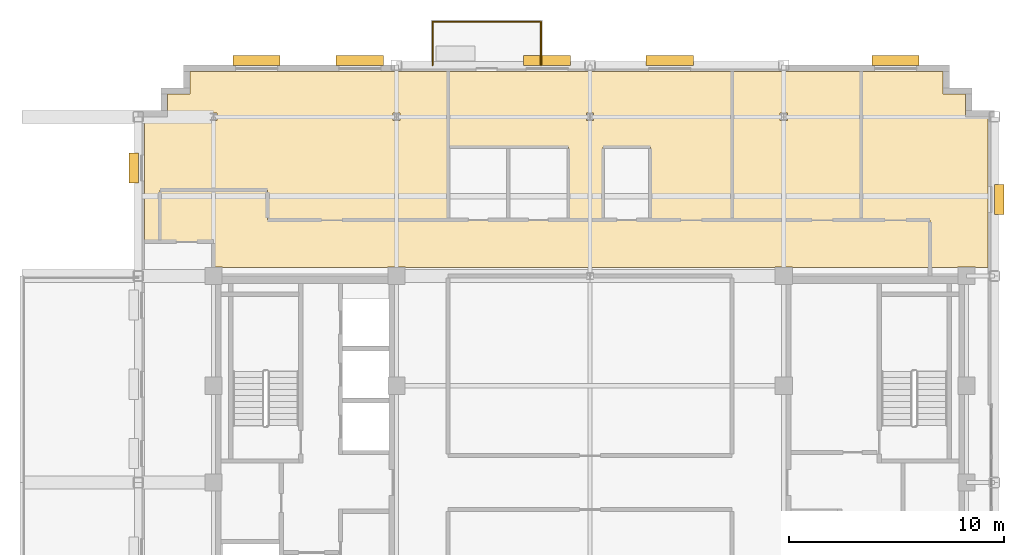
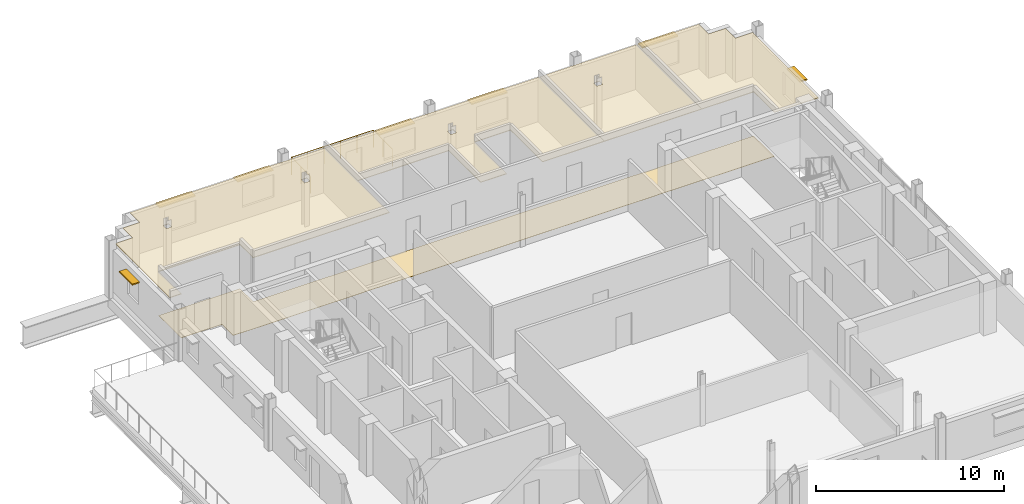
# One storey, part 14 of 14: 7 shading devices, 5 coverings, 1 railing.
"""IFC4 building model written with IfcOpenShell, lengths in metres."""

from ifc_helpers import new_model, si_unit, direction, frame, origin, origin_2d, place, context, subcontext, project, spatial, polyline, rectangle, circle, outline, extrude, source, transform, mapped, material, layer, layer_set, type_object, type_shapes, element, save


model = new_model("IFC4")

# Units and contexts
model_context = context("Model", 3, precision=1e-05, world=origin(), true_north=direction((0.0, 1.0)))
body_context = subcontext(model_context, "Body", "Model", "MODEL_VIEW")
ifc_project = project(units=[si_unit("LENGTHUNIT", "METRE"), si_unit("AREAUNIT", "SQUARE_METRE"), si_unit("VOLUMEUNIT", "CUBIC_METRE"), si_unit("PLANEANGLEUNIT", "RADIAN"), si_unit("MASSUNIT", "GRAM", prefix="KILO")], contexts=[model_context])

# Site, building, storey
site_placement = place(None, origin())
site = spatial("IfcSite", under=ifc_project, at=site_placement, CompositionType="ELEMENT")
building_placement = place(site_placement, origin())
building = spatial("IfcBuilding", under=site, at=building_placement, Name="Nuvemarco Arch Tower", CompositionType="ELEMENT")
storey_placement = place(building_placement, frame((0.0, 0.0, 245.64990234375)))
storey = spatial("IfcBuildingStorey", under=building, at=storey_placement, Name="L65", CompositionType="ELEMENT", Elevation=245.64990234375)

# Coverings
ifc_material_1 = material(Name="Mineral acoustic ceiling tile")
ifc_layer_1 = layer(ifc_material_1, 0.0400390625, Name="COV-ACOUSTIC-CLG")
ifc_layer_set_1 = layer_set([ifc_layer_1], Name="Mineral acoustic ceiling tile")
covering_type_1 = type_object("IfcCoveringType", Name="COV-ACOUSTIC-CLG", PredefinedType="CEILING", material=ifc_layer_set_1)
covering_1_placement = place(storey_placement, frame((0.0, 0.0, 2.85009765625)))
element("IfcCovering", 1, at=covering_1_placement, inside=storey, type_object=covering_type_1, Name="L65 suspended acoustic ceiling 3", PredefinedType="CEILING", context=body_context, shape_type="SweptSolid", body=[
    extrude(outline(polyline([(-20.0, 11.199951171875), (-20.699951171875, 11.199951171875), (-20.699951171875, 17.0), (-19.64990234375, 17.0), (-19.64990234375, 18.050048828125), (-18.60009765625, 18.050048828125), (-18.60009765625, 19.10009765625), (-6.60009765625, 19.10009765625), (-6.60009765625, 15.60009765625), (-6.60009765625, 12.199951171875), (-9.0, 12.199951171875), (-15.0, 12.199951171875), (-15.0, 13.60009765625), (-20.0, 13.60009765625), (-20.0, 11.199951171875)]), holes=[polyline([(-17.330078125, 17.169921875), (-17.669921875, 17.169921875), (-17.669921875, 16.830078125), (-17.330078125, 16.830078125), (-17.330078125, 17.169921875)]), polyline([(-8.830078125, 17.169921875), (-9.169921875, 17.169921875), (-9.169921875, 16.830078125), (-8.830078125, 16.830078125), (-8.830078125, 17.169921875)])]), origin(), (0.0, 0.0, 1.0), 0.0400390625),
])
covering_2_placement = place(storey_placement, frame((0.0, 0.0, 2.85009765625)))
element("IfcCovering", 2, at=covering_2_placement, inside=storey, type_object=covering_type_1, Name="L65 suspended acoustic ceiling 5", PredefinedType="CEILING", context=body_context, shape_type="SweptSolid", body=[
    extrude(outline(polyline([(-1.0, 12.199951171875), (-1.0, 15.60009765625), (-3.800048828125, 15.60009765625), (-6.60009765625, 15.60009765625), (-6.60009765625, 19.10009765625), (6.60009765625, 19.10009765625), (6.60009765625, 12.199951171875), (2.800048828125, 12.199951171875), (2.800048828125, 15.60009765625), (0.60009765625, 15.60009765625), (0.60009765625, 12.199951171875), (-1.0, 12.199951171875)]), holes=[polyline([(0.169921875, 16.830078125), (0.169921875, 17.169921875), (-0.169921875, 17.169921875), (-0.169921875, 16.830078125), (0.169921875, 16.830078125)])]), origin(), (0.0, 0.0, 1.0), 0.0400390625),
])
covering_3_placement = place(storey_placement, frame((0.0, 0.0, 2.85009765625)))
element("IfcCovering", 3, at=covering_3_placement, inside=storey, type_object=covering_type_1, Name="L65 suspended acoustic ceiling 6", PredefinedType="CEILING", context=body_context, shape_type="SweptSolid", body=[
    extrude(outline(polyline([(18.5, 17.0), (18.5, 10.0), (17.9150390625, 10.0), (17.9150390625, 10.014892578125), (17.0849609375, 10.014892578125), (17.0849609375, 10.0), (15.800048828125, 10.0), (15.800048828125, 12.199951171875), (12.60009765625, 12.199951171875), (12.60009765625, 19.10009765625), (16.39990234375, 19.10009765625), (16.39990234375, 18.050048828125), (17.449951171875, 18.050048828125), (17.449951171875, 17.0), (18.5, 17.0)])), origin(), (0.0, 0.0, 1.0), 0.0400390625),
])
covering_4_placement = place(storey_placement, frame((0.0, 0.0, 2.85009765625)))
element("IfcCovering", 4, at=covering_4_placement, inside=storey, type_object=covering_type_1, Name="L65 suspended acoustic ceiling 7", PredefinedType="CEILING", context=body_context, shape_type="SweptSolid", body=[
    extrude(outline(polyline([(12.60009765625, 12.199951171875), (9.0, 12.199951171875), (6.60009765625, 12.199951171875), (6.60009765625, 19.10009765625), (12.60009765625, 19.10009765625), (12.60009765625, 12.199951171875)]), holes=[polyline([(9.169921875, 17.169921875), (8.830078125, 17.169921875), (8.830078125, 16.830078125), (9.169921875, 16.830078125), (9.169921875, 17.169921875)])]), origin(), (0.0, 0.0, 1.0), 0.0400390625),
])
ifc_material_2 = material(Name="Polished granite terrazzostone flooring", Category="masonry")
ifc_layer_2 = layer(ifc_material_2, 0.02001953125, Name="COV-LOBBY-FLR")
ifc_layer_set_2 = layer_set([ifc_layer_2], Name="Polished granite terrazzostone flooring")
covering_type_2 = type_object("IfcCoveringType", Name="COV-LOBBY-FLR", PredefinedType="FLOORING", material=ifc_layer_set_2)
covering_5_placement = place(storey_placement, origin())
element("IfcCovering", 5, at=covering_5_placement, inside=storey, type_object=covering_type_2, Name="L65 polished terrazzo lobby flooring", PredefinedType="FLOORING", context=body_context, shape_type="SweptSolid", body=[
    extrude(outline(polyline([(-8.5849609375, 10.014892578125), (-9.4150390625, 10.014892578125), (-9.4150390625, 10.0), (-17.0849609375, 10.0), (-17.0849609375, 10.014892578125), (-17.5, 10.014892578125), (-17.5, 11.199951171875), (-20.0, 11.199951171875), (-20.0, 13.60009765625), (-15.0, 13.60009765625), (-15.0, 12.199951171875), (-9.0, 12.199951171875), (-6.60009765625, 12.199951171875), (6.60009765625, 12.199951171875), (9.0, 12.199951171875), (15.800048828125, 12.199951171875), (15.800048828125, 10.0), (9.4150390625, 10.0), (9.4150390625, 10.014892578125), (8.5849609375, 10.014892578125), (8.5849609375, 10.0), (-8.5849609375, 10.0), (-8.5849609375, 10.014892578125)])), origin(), (0.0, 0.0, 1.0), 0.02001953125),
])

# Railing
ifc_material_3 = material(Name="Dark anodised balustrade steel S355", Category="steel")
railing_type = type_object("IfcRailingType", Name="RL-TERR-GUARD", PredefinedType="BALUSTRADE", material=ifc_material_3)
railing_placement = place(storey_placement, frame((-7.320068359375, 19.39990234375, 0.0)))
element("IfcRailing", 6, at=railing_placement, inside=storey, type_object=railing_type, Name="L65 tree balcony perimeter balustrade guard", PredefinedType="BALUSTRADE", context=body_context, shape_type="SweptSolid", body=[
    extrude(circle(Radius=0.02392578125, at=origin_2d()), frame((0.0, 0.0, 1.1259765625), z_axis=(0.0, 1.0, 0.0), x_axis=(-1.0, 0.0, 0.0)), (0.0, 0.0, 1.0), 2.02001953125),
    extrude(circle(Radius=0.02392578125, at=origin_2d()), frame((0.0, 2.02001953125, 1.1259765625), z_axis=(1.0, 0.0, 0.0), x_axis=(0.0, 1.0, 0.0)), (0.0, 0.0, 1.0), 5.0400390625),
    extrude(circle(Radius=0.02392578125, at=origin_2d()), frame((5.0400390625, 2.02001953125, 1.1259765625), z_axis=(0.0, -1.0, 0.0), x_axis=(1.0, 0.0, 0.0)), (0.0, 0.0, 1.0), 2.02001953125),
    extrude(circle(Radius=0.02099609375, at=origin_2d()), origin(), (0.0, 0.0, 1.0), 1.101806640625),
    extrude(circle(Radius=0.02099609375, at=origin_2d()), frame((0.0, 1.010009765625, 0.0)), (0.0, 0.0, 1.0), 1.101806640625),
    extrude(circle(Radius=0.02099609375, at=origin_2d()), frame((0.0, 2.02001953125, 0.0)), (0.0, 0.0, 1.0), 1.101806640625),
    extrude(circle(Radius=0.02099609375, at=origin_2d()), frame((1.008056640625, 2.02001953125, 0.0)), (0.0, 0.0, 1.0), 1.101806640625),
    extrude(circle(Radius=0.02099609375, at=origin_2d()), frame((2.01611328125, 2.02001953125, 0.0)), (0.0, 0.0, 1.0), 1.101806640625),
    extrude(circle(Radius=0.02099609375, at=origin_2d()), frame((3.02392578125, 2.02001953125, 0.0)), (0.0, 0.0, 1.0), 1.101806640625),
    extrude(circle(Radius=0.02099609375, at=origin_2d()), frame((4.031982421875, 2.02001953125, 0.0)), (0.0, 0.0, 1.0), 1.101806640625),
    extrude(circle(Radius=0.02099609375, at=origin_2d()), frame((5.0400390625, 2.02001953125, 0.0)), (0.0, 0.0, 1.0), 1.101806640625),
    extrude(circle(Radius=0.02099609375, at=origin_2d()), frame((5.0400390625, 1.010009765625, 0.0)), (0.0, 0.0, 1.0), 1.101806640625),
    extrude(circle(Radius=0.02099609375, at=origin_2d()), frame((5.0400390625, 0.0, 0.0)), (0.0, 0.0, 1.0), 1.101806640625),
])

# Shading devices
ifc_material_4 = material(Name="Anodised aluminium 6063-T6", Category="aluminium")
shading_device_type_1 = type_object("IfcShadingDeviceType", Name="SHD-BRISE-SOLEIL", PredefinedType="USERDEFINED", material=ifc_material_4)
shared_shape_1 = source(origin(), body_context, "Body", "SweptSolid", [
    extrude(rectangle(XDim=2.199951171875, YDim=0.449951171875, at=origin_2d()), origin(), (0.0, 0.0, 1.0), 0.080078125),
])
type_shapes(shading_device_type_1, [shared_shape_1])
for number, where, z_axis, x_axis, name in (
    (7, (-15.5, 19.614990234375, 2.28515625), (0.0, 0.0, 1.0), (1.0, 0.0, 0.0), "L65 horizontal brise-soleil sunshade"),
    (8, (-10.699951171875, 19.614990234375, 2.28515625), (0.0, 0.0, 1.0), (1.0, 0.0, 0.0), "L65 horizontal brise-soleil sunshade"),
    (9, (-2.0, 19.614990234375, 2.28515625), (0.0, 0.0, 1.0), (1.0, 0.0, 0.0), "L65 horizontal brise-soleil sunshade"),
    (10, (3.699951171875, 19.614990234375, 2.28515625), (0.0, 0.0, 1.0), (1.0, 0.0, 0.0), "L65 horizontal brise-soleil sunshade"),
    (11, (14.199951171875, 19.614990234375, 2.28515625), (0.0, 0.0, 1.0), (1.0, 0.0, 0.0), "L65 horizontal brise-soleil sunshade"),
):
    element("IfcShadingDevice", number, at=place(storey_placement, frame(where, z_axis=z_axis, x_axis=x_axis)), inside=storey, type_object=shading_device_type_1, Name=name, ObjectType="SUNSHADE", PredefinedType="USERDEFINED", context=body_context, shape_type="MappedRepresentation", body=[
        mapped(shared_shape_1, transform((0.0, 0.0, 0.0), scale=1.0)),
    ])
shading_device_type_2 = type_object("IfcShadingDeviceType", Name="SHD-BRISE-NARROW", PredefinedType="USERDEFINED", material=ifc_material_4)
shared_shape_2 = source(origin(), body_context, "Body", "SweptSolid", [
    extrude(rectangle(XDim=1.39990234375, YDim=0.449951171875, at=origin_2d()), origin(), (0.0, 0.0, 1.0), 0.080078125),
])
type_shapes(shading_device_type_2, [shared_shape_2])
for number, where, z_axis, x_axis, name in (
    (12, (19.014892578125, 13.153076171875, 2.28515625), (0.0, 0.0, 1.0), (0.0, 1.0, 0.0), "L65 horizontal brise-soleil sunshade"),
    (13, (-21.215087890625, 14.61767578125, 2.28515625), (0.0, 0.0, 1.0), (0.0, 1.0, 0.0), "L65 horizontal brise-soleil sunshade"),
):
    element("IfcShadingDevice", number, at=place(storey_placement, frame(where, z_axis=z_axis, x_axis=x_axis)), inside=storey, type_object=shading_device_type_2, Name=name, ObjectType="SUNSHADE", PredefinedType="USERDEFINED", context=body_context, shape_type="MappedRepresentation", body=[
        mapped(shared_shape_2, transform((0.0, 0.0, 0.0), scale=1.0)),
    ])

save(model, "model.ifc")
